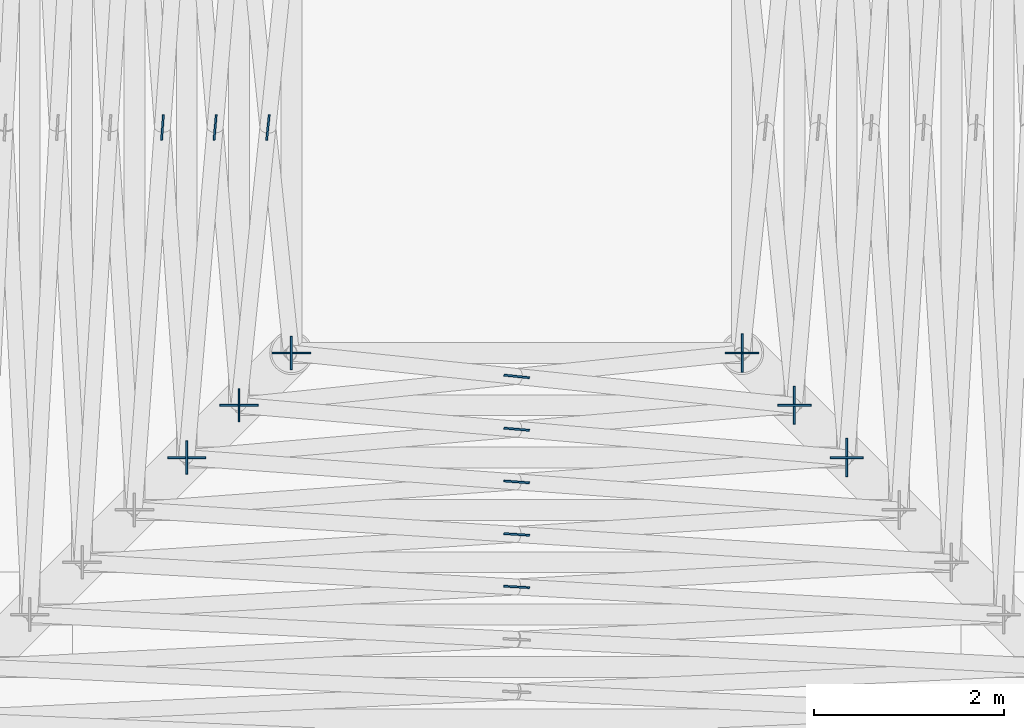
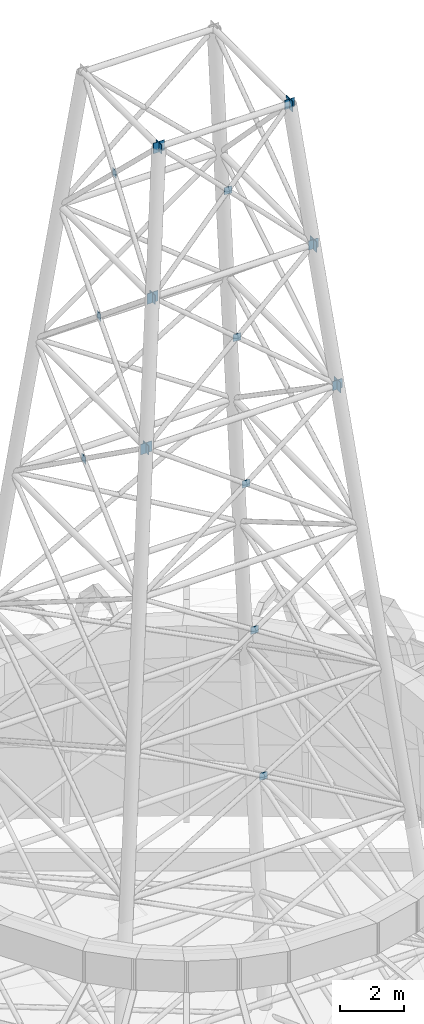
# One storey, part 10 of 27: 20 discrete accessories.
"""IFC4 building model written with IfcOpenShell, lengths in metres."""

from ifc_helpers import new_model, si_unit, direction, frame, origin, origin_2d, place, context, subcontext, project, spatial, rectangle, extrude, material, layer, layer_set, type_object, element, save


model = new_model("IFC4")

# Units and contexts
model_context = context("Model", 3, precision=1e-05, world=origin(), true_north=direction((0.0, 1.0)))
body_context = subcontext(model_context, "Body", "Model", "MODEL_VIEW")
ifc_project = project(units=[si_unit("LENGTHUNIT", "METRE"), si_unit("AREAUNIT", "SQUARE_METRE"), si_unit("VOLUMEUNIT", "CUBIC_METRE"), si_unit("PLANEANGLEUNIT", "RADIAN"), si_unit("MASSUNIT", "GRAM", prefix="KILO")], contexts=[model_context])

# Site, building, storey
site_placement = place(None, origin())
site = spatial("IfcSite", under=ifc_project, at=site_placement, CompositionType="ELEMENT")
building_placement = place(site_placement, origin())
building = spatial("IfcBuilding", under=site, at=building_placement, Name="Ayvan Gate Tower", CompositionType="ELEMENT")
storey_placement = place(building_placement, frame((0.0, 0.0, 267.699951171875)))
storey = spatial("IfcBuildingStorey", under=building, at=storey_placement, Name="Roof", CompositionType="ELEMENT", Elevation=267.699951171875)

# Discrete accessories
ifc_material = material(Name="Steel S460ML", Category="steel")
ifc_layer = layer(ifc_material, 0.02001953125)
ifc_layer_set = layer_set([ifc_layer], Name="Steel S460ML")
discrete_accessory_type = type_object("IfcDiscreteAccessoryType", Name="Gusset plate 20 mm", PredefinedType="BRACKET", material=ifc_layer_set)
discrete_accessory_1_placement = place(storey_placement, frame((0.0, -4.830078125, 18.3896484375), z_axis=(0.0, 0.0, 1.0), x_axis=(-0.998392560962, 0.056677104857, 0.0)))
element("IfcDiscreteAccessory", 1, at=discrete_accessory_1_placement, inside=storey, type_object=discrete_accessory_type, Name="Gusset plate MAST BRACE 4-3B", PredefinedType="BRACKET", context=body_context, shape_type="SweptSolid", body=[
    extrude(rectangle(XDim=0.26953125, YDim=0.02001953125, at=origin_2d()), origin(), (0.0, 0.0, 1.0), 0.269287109375),
])
for number, where, z_axis, x_axis, name in (
    (2, (0.0, -4.278076171875, 23.65869140625), (0.0, 0.0, 1.0), (-0.997955745056, 0.063908770204, 0.0), "Gusset plate MAST BRACE 5-3B"),
    (3, (-3.725341796875, 0.0, 28.93310546875), (0.0, 0.0, 1.0), (0.073248640976, 0.997313710221, 0.0), "Gusset plate MAST BRACE 6-2B"),
    (4, (0.0, -3.725341796875, 28.93310546875), (0.0, 0.0, 1.0), (-0.997313710221, 0.073248640976, 0.0), "Gusset plate MAST BRACE 6-3B"),
    (5, (-3.171630859375, 0.0, 34.21630859375), (0.0, 0.0, 1.0), (0.08577514143, 0.996314521179, 0.0), "Gusset plate MAST BRACE 7-2B"),
    (6, (0.0, -3.171630859375, 34.21630859375), (0.0, 0.0, 1.0), (-0.996314521179, 0.08577514143, 0.0), "Gusset plate MAST BRACE 7-3B"),
    (7, (-2.616455078125, 0.0, 39.51318359375), (0.0, 0.0, 1.0), (0.103441810229, 0.994635507056, 0.0), "Gusset plate MAST BRACE 8-2B"),
    (8, (0.0, -2.616455078125, 39.51318359375), (0.0, 0.0, 1.0), (-0.994635507056, 0.103441810229, 0.0), "Gusset plate MAST BRACE 8-3B"),
):
    element("IfcDiscreteAccessory", number, at=place(storey_placement, frame(where, z_axis=z_axis, x_axis=x_axis)), inside=storey, type_object=discrete_accessory_type, Name=name, PredefinedType="BRACKET", context=body_context, shape_type="SweptSolid", body=[
        extrude(rectangle(XDim=0.269287109375, YDim=0.02001953125, at=origin_2d()), origin(), (0.0, 0.0, 1.0), 0.269287109375),
    ])
discrete_accessory_2_placement = place(storey_placement, frame((-3.470458984375, -3.470458984375, 31.32470703125), z_axis=(0.0, 0.0, 1.0), x_axis=(0.0, 1.0, 0.0)))
element("IfcDiscreteAccessory", 9, at=discrete_accessory_2_placement, inside=storey, type_object=discrete_accessory_type, Name="Gusset plate MAST RING 6-2", PredefinedType="BRACKET", context=body_context, shape_type="SweptSolid", body=[
    extrude(rectangle(XDim=0.3505859375, YDim=0.02001953125, at=origin_2d()), origin(), (0.0, 0.0, 1.0), 0.3505859375),
])
discrete_accessory_3_placement = place(storey_placement, frame((-3.470458984375, -3.470458984375, 31.29833984375), z_axis=(0.0, 0.0, 1.0), x_axis=(1.0, 0.0, 0.0)))
element("IfcDiscreteAccessory", 10, at=discrete_accessory_3_placement, inside=storey, type_object=discrete_accessory_type, Name="Gusset plate MAST RING 6-3", PredefinedType="BRACKET", context=body_context, shape_type="SweptSolid", body=[
    extrude(rectangle(XDim=0.403076171875, YDim=0.02001953125, at=origin_2d()), origin(), (0.0, 0.0, 1.0), 0.403076171875),
])
discrete_accessory_4_placement = place(storey_placement, frame((3.470458984375, -3.470458984375, 31.32470703125), z_axis=(0.0, 0.0, 1.0), x_axis=(1.0, 0.0, 0.0)))
element("IfcDiscreteAccessory", 11, at=discrete_accessory_4_placement, inside=storey, type_object=discrete_accessory_type, Name="Gusset plate MAST RING 6-3", PredefinedType="BRACKET", context=body_context, shape_type="SweptSolid", body=[
    extrude(rectangle(XDim=0.3505859375, YDim=0.02001953125, at=origin_2d()), origin(), (0.0, 0.0, 1.0), 0.3505859375),
])
discrete_accessory_5_placement = place(storey_placement, frame((3.470458984375, -3.470458984375, 31.29833984375), z_axis=(0.0, 0.0, 1.0), x_axis=(0.0, 1.0, 0.0)))
element("IfcDiscreteAccessory", 12, at=discrete_accessory_5_placement, inside=storey, type_object=discrete_accessory_type, Name="Gusset plate MAST RING 6-4", PredefinedType="BRACKET", context=body_context, shape_type="SweptSolid", body=[
    extrude(rectangle(XDim=0.403076171875, YDim=0.02001953125, at=origin_2d()), origin(), (0.0, 0.0, 1.0), 0.403076171875),
])
discrete_accessory_6_placement = place(storey_placement, frame((-2.920166015625, -2.920166015625, 36.57470703125), z_axis=(0.0, 0.0, 1.0), x_axis=(0.0, 1.0, 0.0)))
element("IfcDiscreteAccessory", 13, at=discrete_accessory_6_placement, inside=storey, type_object=discrete_accessory_type, Name="Gusset plate MAST RING 7-2", PredefinedType="BRACKET", context=body_context, shape_type="SweptSolid", body=[
    extrude(rectangle(XDim=0.3505859375, YDim=0.02001953125, at=origin_2d()), origin(), (0.0, 0.0, 1.0), 0.3505859375),
])
discrete_accessory_7_placement = place(storey_placement, frame((-2.920166015625, -2.920166015625, 36.54833984375), z_axis=(0.0, 0.0, 1.0), x_axis=(1.0, 0.0, 0.0)))
element("IfcDiscreteAccessory", 14, at=discrete_accessory_7_placement, inside=storey, type_object=discrete_accessory_type, Name="Gusset plate MAST RING 7-3", PredefinedType="BRACKET", context=body_context, shape_type="SweptSolid", body=[
    extrude(rectangle(XDim=0.403076171875, YDim=0.02001953125, at=origin_2d()), origin(), (0.0, 0.0, 1.0), 0.403076171875),
])
discrete_accessory_8_placement = place(storey_placement, frame((2.920166015625, -2.920166015625, 36.57470703125), z_axis=(0.0, 0.0, 1.0), x_axis=(1.0, 0.0, 0.0)))
element("IfcDiscreteAccessory", 15, at=discrete_accessory_8_placement, inside=storey, type_object=discrete_accessory_type, Name="Gusset plate MAST RING 7-3", PredefinedType="BRACKET", context=body_context, shape_type="SweptSolid", body=[
    extrude(rectangle(XDim=0.3505859375, YDim=0.02001953125, at=origin_2d()), origin(), (0.0, 0.0, 1.0), 0.3505859375),
])
discrete_accessory_9_placement = place(storey_placement, frame((2.920166015625, -2.920166015625, 36.54833984375), z_axis=(0.0, 0.0, 1.0), x_axis=(0.0, 1.0, 0.0)))
element("IfcDiscreteAccessory", 16, at=discrete_accessory_9_placement, inside=storey, type_object=discrete_accessory_type, Name="Gusset plate MAST RING 7-4", PredefinedType="BRACKET", context=body_context, shape_type="SweptSolid", body=[
    extrude(rectangle(XDim=0.403076171875, YDim=0.02001953125, at=origin_2d()), origin(), (0.0, 0.0, 1.0), 0.403076171875),
])
discrete_accessory_10_placement = place(storey_placement, frame((-2.3701171875, -2.3701171875, 41.82470703125), z_axis=(0.0, 0.0, 1.0), x_axis=(0.0, 1.0, 0.0)))
element("IfcDiscreteAccessory", 17, at=discrete_accessory_10_placement, inside=storey, type_object=discrete_accessory_type, Name="Gusset plate MAST RING 8-2", PredefinedType="BRACKET", context=body_context, shape_type="SweptSolid", body=[
    extrude(rectangle(XDim=0.3505859375, YDim=0.02001953125, at=origin_2d()), origin(), (0.0, 0.0, 1.0), 0.3505859375),
])
discrete_accessory_11_placement = place(storey_placement, frame((-2.3701171875, -2.3701171875, 41.79833984375), z_axis=(0.0, 0.0, 1.0), x_axis=(1.0, 0.0, 0.0)))
element("IfcDiscreteAccessory", 18, at=discrete_accessory_11_placement, inside=storey, type_object=discrete_accessory_type, Name="Gusset plate MAST RING 8-3", PredefinedType="BRACKET", context=body_context, shape_type="SweptSolid", body=[
    extrude(rectangle(XDim=0.403076171875, YDim=0.02001953125, at=origin_2d()), origin(), (0.0, 0.0, 1.0), 0.403076171875),
])
discrete_accessory_12_placement = place(storey_placement, frame((2.3701171875, -2.3701171875, 41.82470703125), z_axis=(0.0, 0.0, 1.0), x_axis=(1.0, 0.0, 0.0)))
element("IfcDiscreteAccessory", 19, at=discrete_accessory_12_placement, inside=storey, type_object=discrete_accessory_type, Name="Gusset plate MAST RING 8-3", PredefinedType="BRACKET", context=body_context, shape_type="SweptSolid", body=[
    extrude(rectangle(XDim=0.3505859375, YDim=0.02001953125, at=origin_2d()), origin(), (0.0, 0.0, 1.0), 0.3505859375),
])
discrete_accessory_13_placement = place(storey_placement, frame((2.3701171875, -2.3701171875, 41.79833984375), z_axis=(0.0, 0.0, 1.0), x_axis=(0.0, 1.0, 0.0)))
element("IfcDiscreteAccessory", 20, at=discrete_accessory_13_placement, inside=storey, type_object=discrete_accessory_type, Name="Gusset plate MAST RING 8-4", PredefinedType="BRACKET", context=body_context, shape_type="SweptSolid", body=[
    extrude(rectangle(XDim=0.403076171875, YDim=0.02001953125, at=origin_2d()), origin(), (0.0, 0.0, 1.0), 0.403076171875),
])

save(model, "model.ifc")
